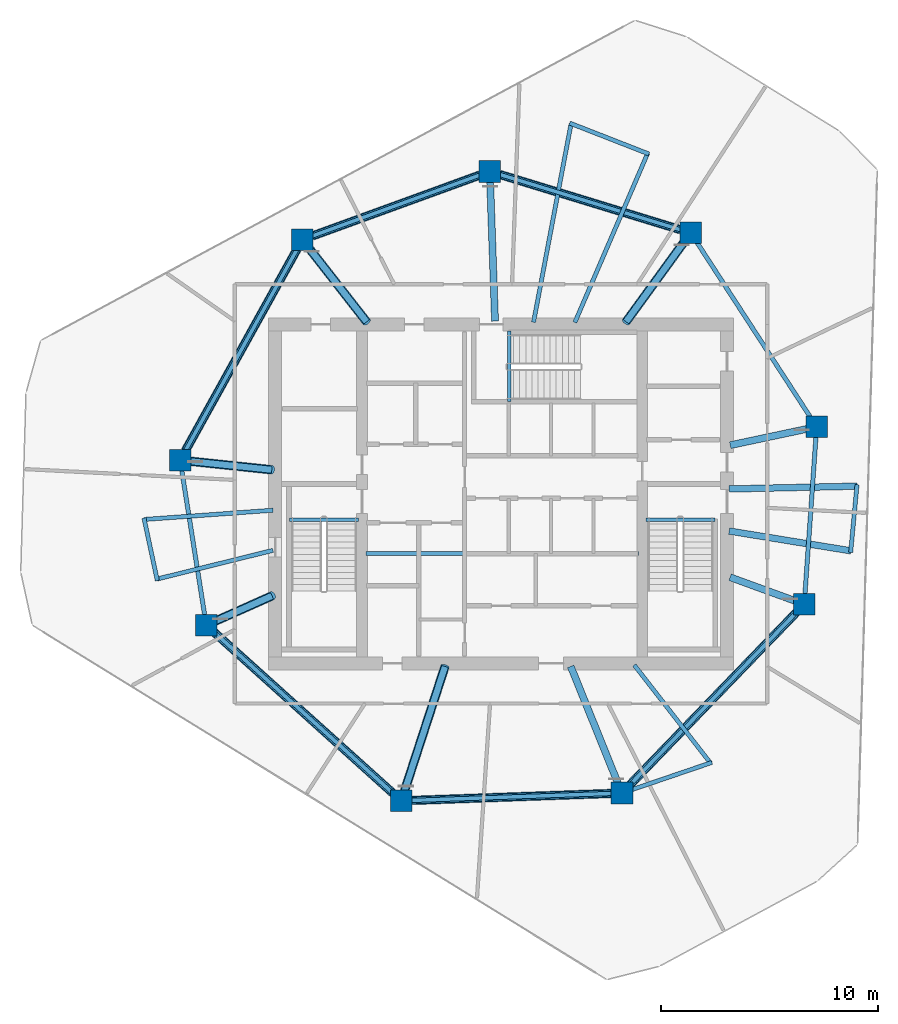
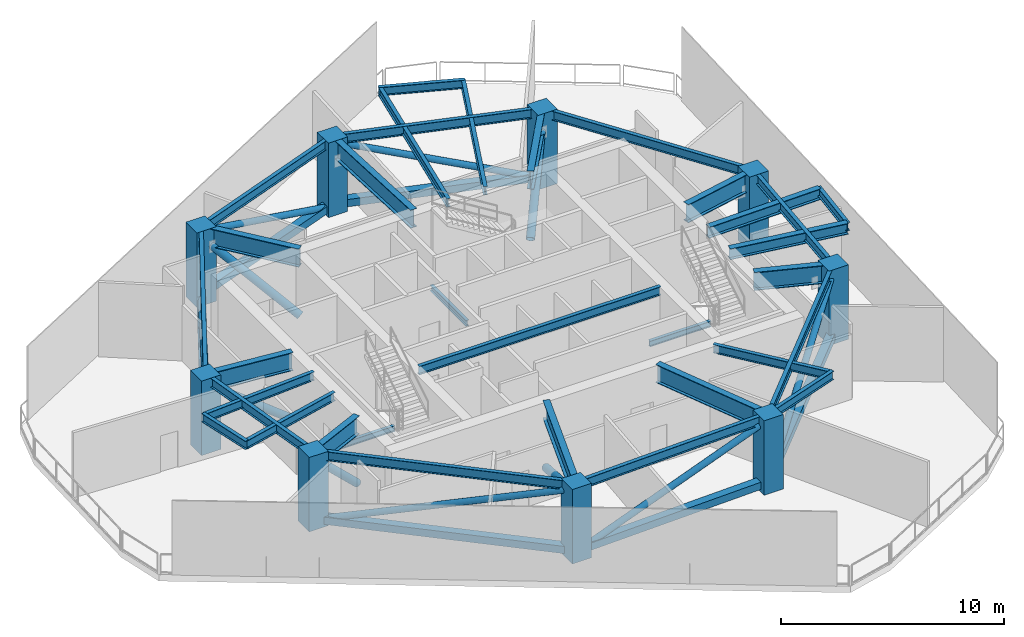
# One storey, part 1 of 6: 33 beams, 17 members, 9 columns.
"""IFC4 building model written with IfcOpenShell, lengths in metres."""

from ifc_helpers import new_model, si_unit, direction, frame, origin, origin_2d, place, context, subcontext, project, spatial, rectangle, hollow_rectangle, hollow_circle, i_section, extrude, material, material_profile, profile_set, type_object, element, save


model = new_model("IFC4")

# Units and contexts
model_context = context("Model", 3, precision=1e-05, world=origin(), true_north=direction((0.0, 1.0)))
body_context = subcontext(model_context, "Body", "Model", "MODEL_VIEW")
ifc_project = project(units=[si_unit("LENGTHUNIT", "METRE"), si_unit("AREAUNIT", "SQUARE_METRE"), si_unit("VOLUMEUNIT", "CUBIC_METRE"), si_unit("PLANEANGLEUNIT", "RADIAN"), si_unit("MASSUNIT", "GRAM", prefix="KILO")], contexts=[model_context])

# Site, building, storey
site_placement = place(None, origin())
site = spatial("IfcSite", under=ifc_project, at=site_placement, CompositionType="ELEMENT")
building_placement = place(site_placement, origin())
building = spatial("IfcBuilding", under=site, at=building_placement, Name="Qarnah Convention Tower", CompositionType="ELEMENT")
storey_placement = place(building_placement, frame((0.0, 0.0, 172.5)))
storey = spatial("IfcBuildingStorey", under=building, at=storey_placement, Name="L46", CompositionType="ELEMENT", Elevation=172.5)

# Columns
ifc_material_1 = material(Name="Concrete C60/75", Category="concrete")
ifc_material_profile_1 = material_profile(ifc_material_1, rectangle(XDim=1.0, YDim=1.0, at=origin_2d()), Name="RC-COL-1000X1000")
ifc_profile_set_1 = profile_set([ifc_material_profile_1], Name="Concrete C60/75")
column_type = type_object("IfcColumnType", Name="COL-Z3-1000", PredefinedType="COLUMN", material=ifc_profile_set_1)
for number, where, z_axis, x_axis, name in (
    (1, (51.72509765625, 29.487060546875, 0.0), (0.0, 0.0, 1.0), (1.0, 0.0, 0.0), "L46 plumb column PC-Z3-01"),
    (2, (45.928955078125, 38.4140625, 0.0), (0.0, 0.0, 1.0), (1.0, 0.0, 0.0), "L46 plumb column PC-Z3-02"),
    (3, (36.681884765625, 41.240966796875, 0.0), (0.0, 0.0, 1.0), (1.0, 0.0, 0.0), "L46 plumb column PC-Z3-03"),
    (4, (28.056884765625, 38.10205078125, 0.0), (0.0, 0.0, 1.0), (1.0, 0.0, 0.0), "L46 plumb column PC-Z3-04"),
    (5, (22.430908203125, 27.951904296875, 0.0), (0.0, 0.0, 1.0), (1.0, 0.0, 0.0), "L46 plumb column PC-Z3-05"),
    (6, (23.634033203125, 20.360107421875, 0.0), (0.0, 0.0, 1.0), (1.0, 0.0, 0.0), "L46 plumb column PC-Z3-06"),
    (7, (32.611083984375, 12.277099609375, 0.0), (0.0, 0.0, 1.0), (1.0, 0.0, 0.0), "L46 plumb column PC-Z3-07"),
    (8, (42.762939453125, 12.631103515625, 0.0), (0.0, 0.0, 1.0), (1.0, 0.0, 0.0), "L46 plumb column PC-Z3-08"),
    (9, (51.154052734375, 21.321044921875, 0.0), (0.0, 0.0, 1.0), (1.0, 0.0, 0.0), "L46 plumb column PC-Z3-09"),
):
    element("IfcColumn", number, at=place(storey_placement, frame(where, z_axis=z_axis, x_axis=x_axis)), inside=storey, type_object=column_type, Name=name, PredefinedType="COLUMN", context=body_context, shape_type="SweptSolid", body=[
        extrude(rectangle(XDim=1.0, YDim=1.0, at=origin_2d()), origin(), (0.0, 0.0, 1.0), 4.080078125),
    ])

# Beams
ifc_material_2 = material(Name="Structural steel S355JR", Category="steel")
ifc_material_profile_2 = material_profile(ifc_material_2, i_section(OverallWidth=0.300048828125, OverallDepth=0.60009765625, WebThickness=0.01611328125, FlangeThickness=0.030029296875, at=origin_2d()), Name="HEB600")
ifc_profile_set_2 = profile_set([ifc_material_profile_2], Name="Structural steel S355JR")
beam_type_1 = type_object("IfcBeamType", Name="BM-CANT-HEB600", PredefinedType="BEAM", material=ifc_profile_set_2)
beam_1_placement = place(storey_placement, frame((47.699951171875, 26.626953125, 3.780029296875), z_axis=(0.999763003174, 0.021770105289, 0.0), x_axis=(-0.021770105289, 0.999763003174, 0.0)))
element("IfcBeam", 10, at=beam_1_placement, inside=storey, type_object=beam_type_1, Name="L46 beam BM-L46-CNT-04-1", PredefinedType="BEAM", context=body_context, shape_type="SweptSolid", body=[
    extrude(i_section(OverallWidth=0.300048828125, OverallDepth=0.60009765625, WebThickness=0.01611328125, FlangeThickness=0.030029296875, at=origin_2d()), origin(), (0.0, 0.0, 1.0), 5.87646484375),
])
beam_2_placement = place(storey_placement, frame((47.698974609375, 24.69091796875, 3.780029296875), z_axis=(0.987019491099, -0.160600511177, 0.0), x_axis=(0.160600511177, 0.987019491099, 0.0)))
element("IfcBeam", 11, at=beam_2_placement, inside=storey, type_object=beam_type_1, Name="L46 beam BM-L46-CNT-04-2", PredefinedType="BEAM", context=body_context, shape_type="SweptSolid", body=[
    extrude(i_section(OverallWidth=0.300048828125, OverallDepth=0.60009765625, WebThickness=0.01611328125, FlangeThickness=0.030029296875, at=origin_2d()), origin(), (0.0, 0.0, 1.0), 5.671875),
])
ifc_material_profile_3 = material_profile(ifc_material_2, i_section(OverallWidth=0.19189453125, OverallDepth=0.464111328125, WebThickness=0.010986328125, FlangeThickness=0.01806640625, at=origin_2d()), Name="W460X89")
ifc_profile_set_3 = profile_set([ifc_material_profile_3], Name="Structural steel S355JR")
beam_type_2 = type_object("IfcBeamType", Name="BM-CANT-W460A", PredefinedType="BEAM", material=ifc_profile_set_3)
beam_3_placement = place(storey_placement, frame((30.97998046875, 23.64990234375, 3.847900390625), z_axis=(1.0, 0.0, 0.0), x_axis=(0.0, 1.0, 0.0)))
element("IfcBeam", 12, at=beam_3_placement, inside=storey, type_object=beam_type_2, Name="L46 beam BM-L46-KC1", PredefinedType="BEAM", context=body_context, shape_type="SweptSolid", body=[
    extrude(i_section(OverallWidth=0.19189453125, OverallDepth=0.464111328125, WebThickness=0.010986328125, FlangeThickness=0.01806640625, at=origin_2d()), origin(), (0.0, 0.0, 1.0), 12.5400390625),
])
beam_4_placement = place(storey_placement, frame((40.596923828125, 34.2919921875, 3.847900390625), z_axis=(0.395464433699, 0.918481290871, 0.0), x_axis=(-0.918481290871, 0.395464433699, 0.0)))
element("IfcBeam", 13, at=beam_4_placement, inside=storey, type_object=beam_type_2, Name="L46 beam BM-L46-CNT-01-1", PredefinedType="BEAM", context=body_context, shape_type="SweptSolid", body=[
    extrude(i_section(OverallWidth=0.19189453125, OverallDepth=0.464111328125, WebThickness=0.010986328125, FlangeThickness=0.01806640625, at=origin_2d()), origin(), (0.0, 0.0, 1.0), 8.4638671875),
])
beam_5_placement = place(storey_placement, frame((38.695068359375, 34.298095703125, 3.847900390625), z_axis=(0.185817043038, 0.982584361018, 0.0), x_axis=(-0.982584361018, 0.185817043038, 0.0)))
element("IfcBeam", 14, at=beam_5_placement, inside=storey, type_object=beam_type_2, Name="L46 beam BM-L46-CNT-01-2", PredefinedType="BEAM", context=body_context, shape_type="SweptSolid", body=[
    extrude(i_section(OverallWidth=0.19189453125, OverallDepth=0.464111328125, WebThickness=0.010986328125, FlangeThickness=0.01806640625, at=origin_2d()), origin(), (0.0, 0.0, 1.0), 9.304931640625),
])
beam_6_placement = place(storey_placement, frame((44.009033203125, 42.041015625, 3.847900390625), z_axis=(-0.931525629959, 0.363675680695, 0.0), x_axis=(-0.363675680695, -0.931525629959, 0.0)))
element("IfcBeam", 15, at=beam_6_placement, inside=storey, type_object=beam_type_2, Name="L46 spandrel BM-L46-CTIE-01", PredefinedType="SPANDREL", context=body_context, shape_type="SweptSolid", body=[
    extrude(i_section(OverallWidth=0.19189453125, OverallDepth=0.464111328125, WebThickness=0.010986328125, FlangeThickness=0.01806640625, at=origin_2d()), origin(), (0.0, 0.0, 1.0), 3.91845703125),
])
beam_7_placement = place(storey_placement, frame((26.699951171875, 25.64794921875, 3.847900390625), z_axis=(-0.997431478283, -0.071627132639, 0.0), x_axis=(0.071627132639, -0.997431478283, 0.0)))
element("IfcBeam", 16, at=beam_7_placement, inside=storey, type_object=beam_type_2, Name="L46 beam BM-L46-CNT-02-1", PredefinedType="BEAM", context=body_context, shape_type="SweptSolid", body=[
    extrude(i_section(OverallWidth=0.19189453125, OverallDepth=0.464111328125, WebThickness=0.010986328125, FlangeThickness=0.01806640625, at=origin_2d()), origin(), (0.0, 0.0, 1.0), 5.93408203125),
])
beam_8_placement = place(storey_placement, frame((26.702880859375, 23.802001953125, 3.847900390625), z_axis=(-0.970704086067, -0.240278124872, 0.0), x_axis=(0.240278124872, -0.970704086067, 0.0)))
element("IfcBeam", 17, at=beam_8_placement, inside=storey, type_object=beam_type_2, Name="L46 beam BM-L46-CNT-02-2", PredefinedType="BEAM", context=body_context, shape_type="SweptSolid", body=[
    extrude(i_section(OverallWidth=0.19189453125, OverallDepth=0.464111328125, WebThickness=0.010986328125, FlangeThickness=0.01806640625, at=origin_2d()), origin(), (0.0, 0.0, 1.0), 5.498046875),
])
beam_9_placement = place(storey_placement, frame((20.76611328125, 25.291015625, 3.847900390625), z_axis=(0.208973836363, -0.977921231857, 0.0), x_axis=(0.977921231857, 0.208973836363, 0.0)))
element("IfcBeam", 18, at=beam_9_placement, inside=storey, type_object=beam_type_2, Name="L46 spandrel BM-L46-CTIE-02", PredefinedType="SPANDREL", context=body_context, shape_type="SweptSolid", body=[
    extrude(i_section(OverallWidth=0.19189453125, OverallDepth=0.464111328125, WebThickness=0.010986328125, FlangeThickness=0.01806640625, at=origin_2d()), origin(), (0.0, 0.0, 1.0), 2.94287109375),
])
beam_10_placement = place(storey_placement, frame((43.3310546875, 18.52099609375, 3.847900390625), z_axis=(0.614224930977, -0.789130999369, 0.0), x_axis=(0.789130999369, 0.614224930977, 0.0)))
element("IfcBeam", 19, at=beam_10_placement, inside=storey, type_object=beam_type_2, Name="L46 beam BM-L46-CNT-03-1", PredefinedType="BEAM", context=body_context, shape_type="SweptSolid", body=[
    extrude(i_section(OverallWidth=0.19189453125, OverallDepth=0.464111328125, WebThickness=0.010986328125, FlangeThickness=0.01806640625, at=origin_2d()), origin(), (0.0, 0.0, 1.0), 5.706298828125),
])
beam_11_placement = place(storey_placement, frame((46.902099609375, 14.041015625, 3.847900390625), z_axis=(-0.946581312558, -0.322465220939, 0.0), x_axis=(0.322465220939, -0.946581312558, 0.0)))
element("IfcBeam", 20, at=beam_11_placement, inside=storey, type_object=beam_type_2, Name="L46 spandrel BM-L46-CTIE-03", PredefinedType="SPANDREL", context=body_context, shape_type="SweptSolid", body=[
    extrude(i_section(OverallWidth=0.19189453125, OverallDepth=0.464111328125, WebThickness=0.010986328125, FlangeThickness=0.01806640625, at=origin_2d()), origin(), (0.0, 0.0, 1.0), 3.88232421875),
])
beam_12_placement = place(storey_placement, frame((53.58203125, 26.824951171875, 3.847900390625), z_axis=(-0.093328622109, -0.995635359103, 0.0), x_axis=(0.995635359103, -0.093328622109, 0.0)))
element("IfcBeam", 21, at=beam_12_placement, inside=storey, type_object=beam_type_2, Name="L46 spandrel BM-L46-CTIE-04", PredefinedType="SPANDREL", context=body_context, shape_type="SweptSolid", body=[
    extrude(i_section(OverallWidth=0.19189453125, OverallDepth=0.464111328125, WebThickness=0.010986328125, FlangeThickness=0.01806640625, at=origin_2d()), origin(), (0.0, 0.0, 1.0), 3.128662109375),
])
ifc_material_profile_4 = material_profile(ifc_material_2, i_section(OverallWidth=0.166015625, OverallDepth=0.31201171875, WebThickness=0.007080078125, FlangeThickness=0.010986328125, at=origin_2d()), Name="W310X45")
ifc_profile_set_4 = profile_set([ifc_material_profile_4], Name="Structural steel S355JR")
beam_type_3 = type_object("IfcBeamType", Name="BM-JST-W310", PredefinedType="JOIST", material=ifc_profile_set_4)
for number, where, z_axis, x_axis, name in (
    (22, (27.4599609375, 25.217041015625, -0.156005859375), (1.0, 0.0, 0.0), (0.0, 1.0, 0.0), "L46 stair landing trimmer beam BM-L46-ST1-TRM"),
    (23, (43.860107421875, 25.217041015625, -0.156005859375), (1.0, 0.0, 0.0), (0.0, 1.0, 0.0), "L46 stair landing trimmer beam BM-L46-ST2-TRM"),
):
    element("IfcBeam", number, at=place(storey_placement, frame(where, z_axis=z_axis, x_axis=x_axis)), inside=storey, type_object=beam_type_3, Name=name, PredefinedType="BEAM", context=body_context, shape_type="SweptSolid", body=[
        extrude(i_section(OverallWidth=0.166015625, OverallDepth=0.31201171875, WebThickness=0.007080078125, FlangeThickness=0.010986328125, at=origin_2d()), origin(), (0.0, 0.0, 1.0), 3.179931640625),
    ])
beam_13_placement = place(storey_placement, frame((37.5830078125, 30.659912109375, -0.156005859375), z_axis=(0.0, 1.0, 0.0), x_axis=(-1.0, 0.0, 0.0)))
element("IfcBeam", 24, at=beam_13_placement, inside=storey, type_object=beam_type_3, Name="L46 stair landing trimmer beam BM-L46-ST3-TRM", PredefinedType="BEAM", context=body_context, shape_type="SweptSolid", body=[
    extrude(i_section(OverallWidth=0.166015625, OverallDepth=0.31201171875, WebThickness=0.007080078125, FlangeThickness=0.010986328125, at=origin_2d()), origin(), (0.0, 0.0, 1.0), 3.239990234375),
])
ifc_material_profile_5 = material_profile(ifc_material_2, i_section(OverallWidth=0.199951171875, OverallDepth=0.5, WebThickness=0.010009765625, FlangeThickness=0.01611328125, at=origin_2d()), Name="IPE500")
ifc_profile_set_5 = profile_set([ifc_material_profile_5], Name="Structural steel S355JR")
beam_type_4 = type_object("IfcBeamType", Name="BM-SPN-IPE500", PredefinedType="SPANDREL", material=ifc_profile_set_5)
beam_14_placement = place(storey_placement, frame((51.4580078125, 29.89794921875, 3.830078125), z_axis=(-0.544531816504, 0.838740186717, 0.0), x_axis=(-0.838740186717, -0.544531816504, 0.0)))
element("IfcBeam", 25, at=beam_14_placement, inside=storey, type_object=beam_type_4, Name="L46 spandrel BM-L46-SPN-01", PredefinedType="SPANDREL", context=body_context, shape_type="SweptSolid", body=[
    extrude(i_section(OverallWidth=0.199951171875, OverallDepth=0.5, WebThickness=0.010009765625, FlangeThickness=0.01611328125, at=origin_2d()), origin(), (0.0, 0.0, 1.0), 9.663330078125),
])
beam_15_placement = place(storey_placement, frame((45.4599609375, 38.556884765625, 3.830078125), z_axis=(-0.956283054976, 0.292442676035, 0.0), x_axis=(-0.292442676035, -0.956283054976, 0.0)))
element("IfcBeam", 26, at=beam_15_placement, inside=storey, type_object=beam_type_4, Name="L46 spandrel BM-L46-SPN-02", PredefinedType="SPANDREL", context=body_context, shape_type="SweptSolid", body=[
    extrude(i_section(OverallWidth=0.199951171875, OverallDepth=0.5, WebThickness=0.010009765625, FlangeThickness=0.01611328125, at=origin_2d()), origin(), (0.0, 0.0, 1.0), 8.68896484375),
])
beam_16_placement = place(storey_placement, frame((36.221923828125, 41.072998046875, 3.830078125), z_axis=(-0.939745596534, -0.341874558567, 0.0), x_axis=(0.341874558567, -0.939745596534, 0.0)))
element("IfcBeam", 27, at=beam_16_placement, inside=storey, type_object=beam_type_4, Name="L46 spandrel BM-L46-SPN-03", PredefinedType="SPANDREL", context=body_context, shape_type="SweptSolid", body=[
    extrude(i_section(OverallWidth=0.199951171875, OverallDepth=0.5, WebThickness=0.010009765625, FlangeThickness=0.01611328125, at=origin_2d()), origin(), (0.0, 0.0, 1.0), 8.19873046875),
])
beam_17_placement = place(storey_placement, frame((27.819091796875, 37.673095703125, 3.830078125), z_axis=(-0.48477441757, -0.874639219375, 0.0), x_axis=(0.874639219375, -0.48477441757, 0.0)))
element("IfcBeam", 28, at=beam_17_placement, inside=storey, type_object=beam_type_4, Name="L46 spandrel BM-L46-SPN-04", PredefinedType="SPANDREL", context=body_context, shape_type="SweptSolid", body=[
    extrude(i_section(OverallWidth=0.199951171875, OverallDepth=0.5, WebThickness=0.010009765625, FlangeThickness=0.01611328125, at=origin_2d()), origin(), (0.0, 0.0, 1.0), 10.623779296875),
])
beam_18_placement = place(storey_placement, frame((22.508056640625, 27.468017578125, 3.830078125), z_axis=(0.156388773261, -0.987695576379, 0.0), x_axis=(0.987695576379, 0.156388773261, 0.0)))
element("IfcBeam", 29, at=beam_18_placement, inside=storey, type_object=beam_type_4, Name="L46 spandrel BM-L46-SPN-05", PredefinedType="SPANDREL", context=body_context, shape_type="SweptSolid", body=[
    extrude(i_section(OverallWidth=0.199951171875, OverallDepth=0.5, WebThickness=0.010009765625, FlangeThickness=0.01611328125, at=origin_2d()), origin(), (0.0, 0.0, 1.0), 6.70654296875),
])
beam_19_placement = place(storey_placement, frame((23.998046875, 20.031982421875, 3.830078125), z_axis=(0.743165079224, -0.66910811161, 0.0), x_axis=(0.66910811161, 0.743165079224, 0.0)))
element("IfcBeam", 30, at=beam_19_placement, inside=storey, type_object=beam_type_4, Name="L46 spandrel BM-L46-SPN-06", PredefinedType="SPANDREL", context=body_context, shape_type="SweptSolid", body=[
    extrude(i_section(OverallWidth=0.199951171875, OverallDepth=0.5, WebThickness=0.010009765625, FlangeThickness=0.01611328125, at=origin_2d()), origin(), (0.0, 0.0, 1.0), 11.099853515625),
])
beam_20_placement = place(storey_placement, frame((33.10107421875, 12.2939453125, 3.830078125), z_axis=(0.999391665003, 0.034875491717, 0.0), x_axis=(-0.034875491717, 0.999391665003, 0.0)))
element("IfcBeam", 31, at=beam_20_placement, inside=storey, type_object=beam_type_4, Name="L46 spandrel BM-L46-SPN-07", PredefinedType="SPANDREL", context=body_context, shape_type="SweptSolid", body=[
    extrude(i_section(OverallWidth=0.199951171875, OverallDepth=0.5, WebThickness=0.010009765625, FlangeThickness=0.01611328125, at=origin_2d()), origin(), (0.0, 0.0, 1.0), 9.177490234375),
])
beam_21_placement = place(storey_placement, frame((43.10302734375, 12.98291015625, 3.830078125), z_axis=(0.694605503013, 0.719390850084, 0.0), x_axis=(-0.719390850084, 0.694605503013, 0.0)))
element("IfcBeam", 32, at=beam_21_placement, inside=storey, type_object=beam_type_4, Name="L46 spandrel BM-L46-SPN-08", PredefinedType="SPANDREL", context=body_context, shape_type="SweptSolid", body=[
    extrude(i_section(OverallWidth=0.199951171875, OverallDepth=0.5, WebThickness=0.010009765625, FlangeThickness=0.01611328125, at=origin_2d()), origin(), (0.0, 0.0, 1.0), 11.10107421875),
])
beam_22_placement = place(storey_placement, frame((51.18798828125, 21.81005859375, 3.830078125), z_axis=(0.069797433651, 0.997561185219, 0.0), x_axis=(-0.997561185219, 0.069797433651, 0.0)))
element("IfcBeam", 33, at=beam_22_placement, inside=storey, type_object=beam_type_4, Name="L46 spandrel BM-L46-SPN-09", PredefinedType="SPANDREL", context=body_context, shape_type="SweptSolid", body=[
    extrude(i_section(OverallWidth=0.199951171875, OverallDepth=0.5, WebThickness=0.010009765625, FlangeThickness=0.01611328125, at=origin_2d()), origin(), (0.0, 0.0, 1.0), 7.20556640625),
])
ifc_material_profile_6 = material_profile(ifc_material_2, i_section(OverallWidth=0.320068359375, OverallDepth=1.0, WebThickness=0.02197265625, FlangeThickness=0.033935546875, at=origin_2d()), Name="W1000X371")
ifc_profile_set_6 = profile_set([ifc_material_profile_6], Name="Structural steel S355JR")
beam_type_5 = type_object("IfcBeamType", Name="BM-TG-W1000B", PredefinedType="USERDEFINED", material=ifc_profile_set_6)
beam_23_placement = place(storey_placement, frame((47.7470703125, 28.64111328125, 3.580078125), z_axis=(0.978133929389, 0.207975999045, 0.0), x_axis=(-0.207975999045, 0.978133929389, 0.0)))
element("IfcBeam", 34, at=beam_23_placement, inside=storey, type_object=beam_type_5, Name="L46 transfer girder BM-L46-TG-01", ObjectType="TRANSFER_GIRDER", PredefinedType="USERDEFINED", context=body_context, shape_type="SweptSolid", body=[
    extrude(i_section(OverallWidth=0.320068359375, OverallDepth=1.0, WebThickness=0.02197265625, FlangeThickness=0.033935546875, at=origin_2d()), origin(), (0.0, 0.0, 1.0), 3.586181640625),
])
beam_24_placement = place(storey_placement, frame((42.955078125, 34.321044921875, 3.580078125), z_axis=(0.58781027487, 0.808998813817, 0.0), x_axis=(-0.808998813817, 0.58781027487, 0.0)))
element("IfcBeam", 35, at=beam_24_placement, inside=storey, type_object=beam_type_5, Name="L46 transfer girder BM-L46-TG-02", ObjectType="TRANSFER_GIRDER", PredefinedType="USERDEFINED", context=body_context, shape_type="SweptSolid", body=[
    extrude(i_section(OverallWidth=0.320068359375, OverallDepth=1.0, WebThickness=0.02197265625, FlangeThickness=0.033935546875, at=origin_2d()), origin(), (0.0, 0.0, 1.0), 4.57958984375),
])
beam_25_placement = place(storey_placement, frame((36.923095703125, 34.35009765625, 3.580078125), z_axis=(-0.034938098977, 0.999389478252, 0.0), x_axis=(-0.999389478252, -0.034938098977, 0.0)))
element("IfcBeam", 36, at=beam_25_placement, inside=storey, type_object=beam_type_5, Name="L46 transfer girder BM-L46-TG-03", ObjectType="TRANSFER_GIRDER", PredefinedType="USERDEFINED", context=body_context, shape_type="SweptSolid", body=[
    extrude(i_section(OverallWidth=0.320068359375, OverallDepth=1.0, WebThickness=0.02197265625, FlangeThickness=0.033935546875, at=origin_2d()), origin(), (0.0, 0.0, 1.0), 6.414794921875),
])
beam_26_placement = place(storey_placement, frame((31.013916015625, 34.318115234375, 3.580078125), z_axis=(-0.615636368947, 0.788030368215, 0.0), x_axis=(-0.788030368215, -0.615636368947, 0.0)))
element("IfcBeam", 37, at=beam_26_placement, inside=storey, type_object=beam_type_5, Name="L46 transfer girder BM-L46-TG-04", ObjectType="TRANSFER_GIRDER", PredefinedType="USERDEFINED", context=body_context, shape_type="SweptSolid", body=[
    extrude(i_section(OverallWidth=0.320068359375, OverallDepth=1.0, WebThickness=0.02197265625, FlangeThickness=0.033935546875, at=origin_2d()), origin(), (0.0, 0.0, 1.0), 4.322265625),
])
beam_27_placement = place(storey_placement, frame((26.65087890625, 27.509033203125, 3.580078125), z_axis=(-0.994531015982, 0.104441649973, 0.0), x_axis=(-0.104441649973, -0.994531015982, 0.0)))
element("IfcBeam", 38, at=beam_27_placement, inside=storey, type_object=beam_type_5, Name="L46 transfer girder BM-L46-TG-05", ObjectType="TRANSFER_GIRDER", PredefinedType="USERDEFINED", context=body_context, shape_type="SweptSolid", body=[
    extrude(i_section(OverallWidth=0.320068359375, OverallDepth=1.0, WebThickness=0.02197265625, FlangeThickness=0.033935546875, at=origin_2d()), origin(), (0.0, 0.0, 1.0), 3.763427734375),
])
beam_28_placement = place(storey_placement, frame((26.6630859375, 21.708984375, 3.580078125), z_axis=(-0.913488265638, -0.406865074123, 0.0), x_axis=(0.406865074123, -0.913488265638, 0.0)))
element("IfcBeam", 39, at=beam_28_placement, inside=storey, type_object=beam_type_5, Name="L46 transfer girder BM-L46-TG-06", ObjectType="TRANSFER_GIRDER", PredefinedType="USERDEFINED", context=body_context, shape_type="SweptSolid", body=[
    extrude(i_section(OverallWidth=0.320068359375, OverallDepth=1.0, WebThickness=0.02197265625, FlangeThickness=0.033935546875, at=origin_2d()), origin(), (0.0, 0.0, 1.0), 2.83642578125),
])
beam_29_placement = place(storey_placement, frame((34.6201171875, 18.45703125, 3.580078125), z_axis=(-0.30919796314, -0.950997696942, 0.0), x_axis=(0.950997696942, -0.30919796314, 0.0)))
element("IfcBeam", 40, at=beam_29_placement, inside=storey, type_object=beam_type_5, Name="L46 transfer girder BM-L46-TG-07", ObjectType="TRANSFER_GIRDER", PredefinedType="USERDEFINED", context=body_context, shape_type="SweptSolid", body=[
    extrude(i_section(OverallWidth=0.320068359375, OverallDepth=1.0, WebThickness=0.02197265625, FlangeThickness=0.033935546875, at=origin_2d()), origin(), (0.0, 0.0, 1.0), 6.01904296875),
])
beam_30_placement = place(storey_placement, frame((40.406982421875, 18.4609375, 3.580078125), z_axis=(0.374656949885, -0.927163507642, 0.0), x_axis=(0.927163507642, 0.374656949885, 0.0)))
element("IfcBeam", 41, at=beam_30_placement, inside=storey, type_object=beam_type_5, Name="L46 transfer girder BM-L46-TG-08", ObjectType="TRANSFER_GIRDER", PredefinedType="USERDEFINED", context=body_context, shape_type="SweptSolid", body=[
    extrude(i_section(OverallWidth=0.320068359375, OverallDepth=1.0, WebThickness=0.02197265625, FlangeThickness=0.033935546875, at=origin_2d()), origin(), (0.0, 0.0, 1.0), 5.80810546875),
])
beam_31_placement = place(storey_placement, frame((47.740966796875, 22.56396484375, 3.580078125), z_axis=(0.939610124669, -0.342246714549, 0.0), x_axis=(0.342246714549, 0.939610124669, 0.0)))
element("IfcBeam", 42, at=beam_31_placement, inside=storey, type_object=beam_type_5, Name="L46 transfer girder BM-L46-TG-09", ObjectType="TRANSFER_GIRDER", PredefinedType="USERDEFINED", context=body_context, shape_type="SweptSolid", body=[
    extrude(i_section(OverallWidth=0.320068359375, OverallDepth=1.0, WebThickness=0.02197265625, FlangeThickness=0.033935546875, at=origin_2d()), origin(), (0.0, 0.0, 1.0), 3.15234375),
])

# Members
ifc_material_profile_7 = material_profile(ifc_material_2, hollow_circle(Radius=0.162109375, WallThickness=0.011962890625, at=origin_2d()), Name="CHS324X12")
ifc_profile_set_7 = profile_set([ifc_material_profile_7], Name="Structural steel S355JR")
member_type_1 = type_object("IfcMemberType", Name="MBR-BRC-CHS324", PredefinedType="BRACE", material=ifc_profile_set_7)
member_1_placement = place(storey_placement, frame((45.4599609375, 38.556884765625, 0.35009765625), z_axis=(-0.898032158674, 0.274628862534, 0.343681873031), x_axis=(-0.292442676035, -0.956283054976, 0.0)))
element("IfcMember", 43, at=member_1_placement, inside=storey, type_object=member_type_1, Name="L46 belt truss diagonal 02", PredefinedType="BRACE", context=body_context, shape_type="SweptSolid", body=[
    extrude(hollow_circle(Radius=0.162109375, WallThickness=0.011962890625, at=origin_2d()), origin(), (0.0, 0.0, 1.0), 9.25244140625),
])
member_2_placement = place(storey_placement, frame((36.221923828125, 41.072998046875, 0.35009765625), z_axis=(-0.876154140964, -0.318740317894, 0.36160549086), x_axis=(0.341874558567, -0.939745596534, 0.0)))
element("IfcMember", 44, at=member_2_placement, inside=storey, type_object=member_type_1, Name="L46 belt truss diagonal 03", PredefinedType="BRACE", context=body_context, shape_type="SweptSolid", body=[
    extrude(hollow_circle(Radius=0.162109375, WallThickness=0.011962890625, at=origin_2d()), origin(), (0.0, 0.0, 1.0), 8.7939453125),
])
member_3_placement = place(storey_placement, frame((27.819091796875, 37.673095703125, 0.35009765625), z_axis=(-0.464416317645, -0.837908748498, 0.286751483163), x_axis=(0.874639219375, -0.48477441757, 0.0)))
element("IfcMember", 45, at=member_3_placement, inside=storey, type_object=member_type_1, Name="L46 belt truss diagonal 04", PredefinedType="BRACE", context=body_context, shape_type="SweptSolid", body=[
    extrude(hollow_circle(Radius=0.162109375, WallThickness=0.011962890625, at=origin_2d()), origin(), (0.0, 0.0, 1.0), 11.089599609375),
])
member_4_placement = place(storey_placement, frame((23.998046875, 20.031982421875, 0.35009765625), z_axis=(0.714425561241, -0.643232508539, 0.275405260304), x_axis=(0.66910811161, 0.743165079224, 0.0)))
element("IfcMember", 46, at=member_4_placement, inside=storey, type_object=member_type_1, Name="L46 belt truss diagonal 06", PredefinedType="BRACE", context=body_context, shape_type="SweptSolid", body=[
    extrude(hollow_circle(Radius=0.162109375, WallThickness=0.011962890625, at=origin_2d()), origin(), (0.0, 0.0, 1.0), 11.54638671875),
])
member_5_placement = place(storey_placement, frame((33.10107421875, 12.2939453125, 0.35009765625), z_axis=(0.944311949535, 0.032953390275, 0.327397336635), x_axis=(-0.034875491717, 0.999391665003, 0.0)))
element("IfcMember", 47, at=member_5_placement, inside=storey, type_object=member_type_1, Name="L46 belt truss diagonal 07", PredefinedType="BRACE", context=body_context, shape_type="SweptSolid", body=[
    extrude(hollow_circle(Radius=0.162109375, WallThickness=0.011962890625, at=origin_2d()), origin(), (0.0, 0.0, 1.0), 9.712646484375),
])
member_6_placement = place(storey_placement, frame((43.10302734375, 12.98291015625, 0.35009765625), z_axis=(0.667749901297, 0.691576970026, 0.27537495138), x_axis=(-0.719390850084, 0.694605503013, 0.0)))
element("IfcMember", 48, at=member_6_placement, inside=storey, type_object=member_type_1, Name="L46 belt truss diagonal 08", PredefinedType="BRACE", context=body_context, shape_type="SweptSolid", body=[
    extrude(hollow_circle(Radius=0.162109375, WallThickness=0.011962890625, at=origin_2d()), origin(), (0.0, 0.0, 1.0), 11.547607421875),
])
ifc_material_profile_8 = material_profile(ifc_material_2, hollow_circle(Radius=0.202880859375, WallThickness=0.01611328125, at=origin_2d()), Name="CHS406X16")
ifc_profile_set_8 = profile_set([ifc_material_profile_8], Name="Structural steel S355JR")
member_type_2 = type_object("IfcMemberType", Name="MBR-BRC-CHS406", PredefinedType="BRACE", material=ifc_profile_set_8)
member_7_placement = place(storey_placement, frame((42.955078125, 34.321044921875, 0.35009765625), z_axis=(0.502959336834, 0.692219112685, 0.517556379079), x_axis=(-0.808998813817, 0.58781027487, 0.0)))
element("IfcMember", 49, at=member_7_placement, inside=storey, type_object=member_type_2, Name="L46 outrigger truss diagonal 02", PredefinedType="BRACE", context=body_context, shape_type="SweptSolid", body=[
    extrude(hollow_circle(Radius=0.202880859375, WallThickness=0.01611328125, at=origin_2d()), origin(), (0.0, 0.0, 1.0), 5.35205078125),
])
member_8_placement = place(storey_placement, frame((31.013916015625, 34.318115234375, 0.35009765625), z_axis=(-0.518324433537, 0.663468590905, 0.539582440858), x_axis=(-0.788030368215, -0.615636368947, 0.0)))
element("IfcMember", 50, at=member_8_placement, inside=storey, type_object=member_type_2, Name="L46 outrigger truss diagonal 04", PredefinedType="BRACE", context=body_context, shape_type="SweptSolid", body=[
    extrude(hollow_circle(Radius=0.202880859375, WallThickness=0.01611328125, at=origin_2d()), origin(), (0.0, 0.0, 1.0), 5.133544921875),
])
member_9_placement = place(storey_placement, frame((26.65087890625, 27.509033203125, 0.35009765625), z_axis=(-0.800966692823, 0.084114302749, 0.592770732292), x_axis=(-0.104441649973, -0.994531015982, 0.0)))
element("IfcMember", 51, at=member_9_placement, inside=storey, type_object=member_type_2, Name="L46 outrigger truss diagonal 05", PredefinedType="BRACE", context=body_context, shape_type="SweptSolid", body=[
    extrude(hollow_circle(Radius=0.202880859375, WallThickness=0.01611328125, at=origin_2d()), origin(), (0.0, 0.0, 1.0), 4.673095703125),
])
member_10_placement = place(storey_placement, frame((26.6630859375, 21.708984375, 0.35009765625), z_axis=(-0.653541554029, -0.291085548468, 0.698679211534), x_axis=(0.406865074123, -0.913488265638, 0.0)))
element("IfcMember", 52, at=member_10_placement, inside=storey, type_object=member_type_2, Name="L46 outrigger truss diagonal 06", PredefinedType="BRACE", context=body_context, shape_type="SweptSolid", body=[
    extrude(hollow_circle(Radius=0.202880859375, WallThickness=0.01611328125, at=origin_2d()), origin(), (0.0, 0.0, 1.0), 3.964599609375),
])
member_11_placement = place(storey_placement, frame((34.6201171875, 18.45703125, 0.35009765625), z_axis=(-0.280881289067, -0.86390432946, 0.41806101348), x_axis=(0.950997696942, -0.30919796314, 0.0)))
element("IfcMember", 53, at=member_11_placement, inside=storey, type_object=member_type_2, Name="L46 outrigger truss diagonal 07", PredefinedType="BRACE", context=body_context, shape_type="SweptSolid", body=[
    extrude(hollow_circle(Radius=0.202880859375, WallThickness=0.01611328125, at=origin_2d()), origin(), (0.0, 0.0, 1.0), 6.6259765625),
])
ifc_material_profile_9 = material_profile(ifc_material_2, hollow_rectangle(XDim=0.39990234375, YDim=0.39990234375, WallThickness=0.01611328125, at=origin_2d()), Name="HSS400X400X16")
ifc_profile_set_9 = profile_set([ifc_material_profile_9], Name="Structural steel S355JR")
member_type_3 = type_object("IfcMemberType", Name="MBR-CHD-HSS400", PredefinedType="CHORD", material=ifc_profile_set_9)
member_12_placement = place(storey_placement, frame((45.4599609375, 38.556884765625, 0.35009765625), z_axis=(-0.956283054976, 0.292442676035, 0.0), x_axis=(-0.292442676035, -0.956283054976, 0.0)))
element("IfcMember", 54, at=member_12_placement, inside=storey, type_object=member_type_3, Name="L46 belt truss bottom chord 02", PredefinedType="CHORD", context=body_context, shape_type="SweptSolid", body=[
    extrude(hollow_rectangle(XDim=0.39990234375, YDim=0.39990234375, WallThickness=0.01611328125, at=origin_2d()), origin(), (0.0, 0.0, 1.0), 8.68896484375),
])
member_13_placement = place(storey_placement, frame((36.221923828125, 41.072998046875, 0.35009765625), z_axis=(-0.939745596534, -0.341874558567, 0.0), x_axis=(0.341874558567, -0.939745596534, 0.0)))
element("IfcMember", 55, at=member_13_placement, inside=storey, type_object=member_type_3, Name="L46 belt truss bottom chord 03", PredefinedType="CHORD", context=body_context, shape_type="SweptSolid", body=[
    extrude(hollow_rectangle(XDim=0.39990234375, YDim=0.39990234375, WallThickness=0.01611328125, at=origin_2d()), origin(), (0.0, 0.0, 1.0), 8.19873046875),
])
member_14_placement = place(storey_placement, frame((27.819091796875, 37.673095703125, 0.35009765625), z_axis=(-0.48477441757, -0.874639219375, 0.0), x_axis=(0.874639219375, -0.48477441757, 0.0)))
element("IfcMember", 56, at=member_14_placement, inside=storey, type_object=member_type_3, Name="L46 belt truss bottom chord 04", PredefinedType="CHORD", context=body_context, shape_type="SweptSolid", body=[
    extrude(hollow_rectangle(XDim=0.39990234375, YDim=0.39990234375, WallThickness=0.01611328125, at=origin_2d()), origin(), (0.0, 0.0, 1.0), 10.623779296875),
])
member_15_placement = place(storey_placement, frame((23.998046875, 20.031982421875, 0.35009765625), z_axis=(0.743165079224, -0.66910811161, 0.0), x_axis=(0.66910811161, 0.743165079224, 0.0)))
element("IfcMember", 57, at=member_15_placement, inside=storey, type_object=member_type_3, Name="L46 belt truss bottom chord 06", PredefinedType="CHORD", context=body_context, shape_type="SweptSolid", body=[
    extrude(hollow_rectangle(XDim=0.39990234375, YDim=0.39990234375, WallThickness=0.01611328125, at=origin_2d()), origin(), (0.0, 0.0, 1.0), 11.099853515625),
])
member_16_placement = place(storey_placement, frame((33.10107421875, 12.2939453125, 0.35009765625), z_axis=(0.999391665003, 0.034875491717, 0.0), x_axis=(-0.034875491717, 0.999391665003, 0.0)))
element("IfcMember", 58, at=member_16_placement, inside=storey, type_object=member_type_3, Name="L46 belt truss bottom chord 07", PredefinedType="CHORD", context=body_context, shape_type="SweptSolid", body=[
    extrude(hollow_rectangle(XDim=0.39990234375, YDim=0.39990234375, WallThickness=0.01611328125, at=origin_2d()), origin(), (0.0, 0.0, 1.0), 9.177490234375),
])
member_17_placement = place(storey_placement, frame((43.10302734375, 12.98291015625, 0.35009765625), z_axis=(0.694605503013, 0.719390850084, 0.0), x_axis=(-0.719390850084, 0.694605503013, 0.0)))
element("IfcMember", 59, at=member_17_placement, inside=storey, type_object=member_type_3, Name="L46 belt truss bottom chord 08", PredefinedType="CHORD", context=body_context, shape_type="SweptSolid", body=[
    extrude(hollow_rectangle(XDim=0.39990234375, YDim=0.39990234375, WallThickness=0.01611328125, at=origin_2d()), origin(), (0.0, 0.0, 1.0), 11.10107421875),
])

save(model, "model.ifc")
